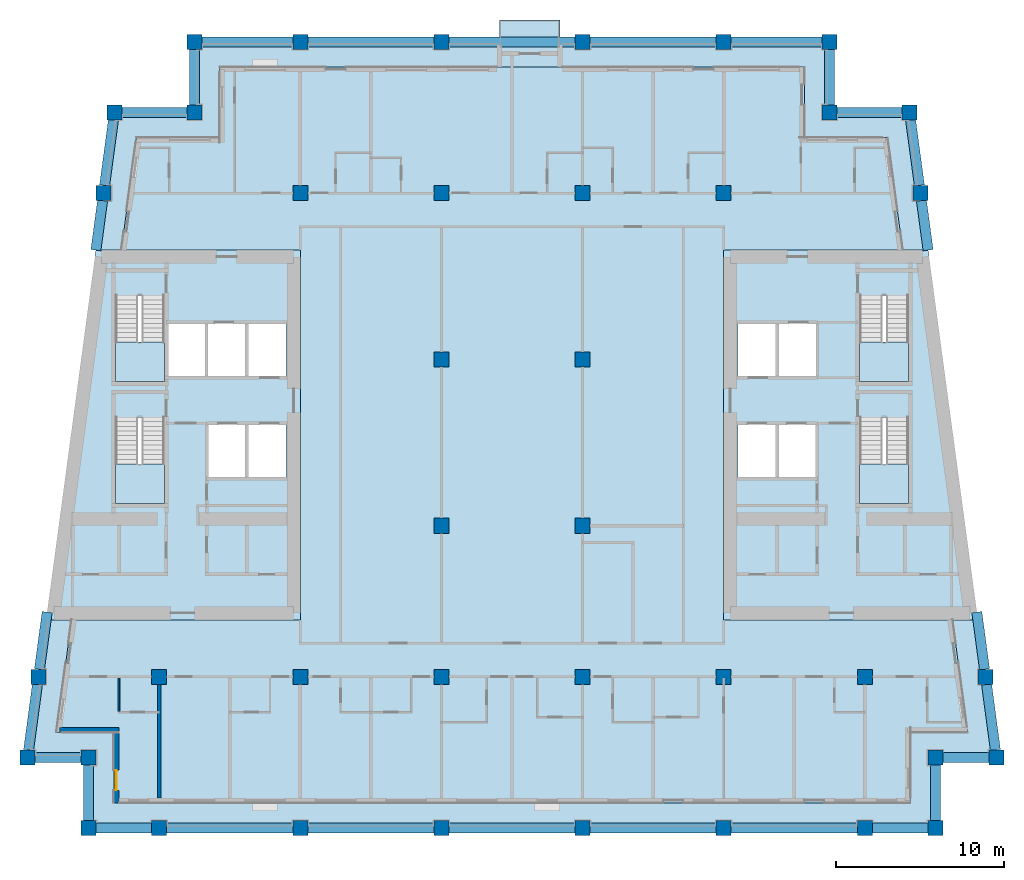
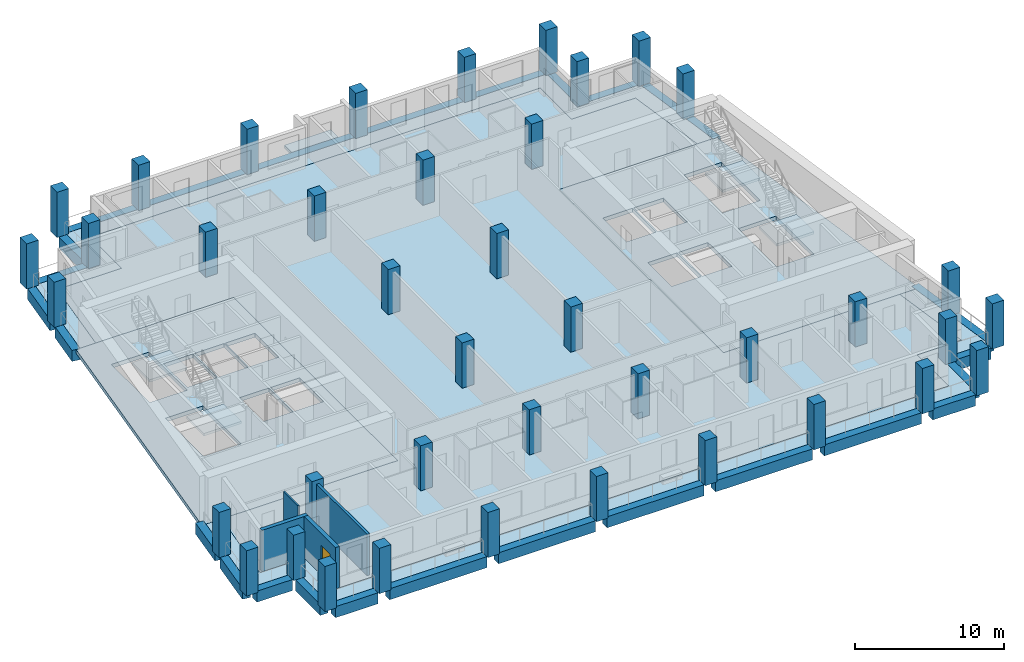
# One storey, part 1 of 13: 40 columns, 28 beams, 10 slabs, 4 walls, 1 door, 1 opening, 4 elements without a shape of their own.
"""IFC4 building model written with IfcOpenShell, lengths in metres."""

from ifc_helpers import new_model, si_unit, direction, frame, frame_2d, origin, origin_2d, place, context, subcontext, project, spatial, polyline, rectangle, outline, extrude, material, layer, layer_set, material_profile, profile_set, type_object, element, fill, aggregate, save


model = new_model("IFC4")

# Units and contexts
model_context = context("Model", 3, precision=1e-05, world=origin(), true_north=direction((0.0, 1.0)))
body_context = subcontext(model_context, "Body", "Model", "MODEL_VIEW")
ifc_project = project(units=[si_unit("LENGTHUNIT", "METRE"), si_unit("AREAUNIT", "SQUARE_METRE"), si_unit("VOLUMEUNIT", "CUBIC_METRE"), si_unit("PLANEANGLEUNIT", "RADIAN"), si_unit("MASSUNIT", "GRAM", prefix="KILO")], contexts=[model_context])

# Site, building, storey
site_placement = place(None, origin())
site = spatial("IfcSite", under=ifc_project, at=site_placement, CompositionType="ELEMENT")
building_placement = place(site_placement, origin())
building = spatial("IfcBuilding", under=site, at=building_placement, Name="Candeia Pilgrim Tower and Theatre", CompositionType="ELEMENT")
storey_placement = place(building_placement, frame((0.0, 0.0, 205.89990234375)))
storey = spatial("IfcBuildingStorey", under=building, at=storey_placement, Name="L49", CompositionType="ELEMENT", Elevation=205.89990234375)

# Columns
ifc_material_1 = material(Name="Concrete C50/60", Category="concrete")
ifc_material_profile_1 = material_profile(ifc_material_1, rectangle(XDim=0.89990234375, YDim=0.89990234375, at=origin_2d()))
ifc_profile_set_1 = profile_set([ifc_material_profile_1], Name="Concrete C50/60")
column_type = type_object("IfcColumnType", Name="RC 900x900 C50/60", PredefinedType="COLUMN", material=ifc_profile_set_1)
for number, where, z_axis, x_axis, name in (
    (1, (92.39990234375, 98.0, 0.0), (0.0, 0.0, 1.0), (1.0, 0.0, 0.0), "Column A1"),
    (2, (100.800048828125, 98.0, 0.0), (0.0, 0.0, 1.0), (1.0, 0.0, 0.0), "Column A2"),
    (3, (109.199951171875, 98.0, 0.0), (0.0, 0.0, 1.0), (1.0, 0.0, 0.0), "Column A3"),
    (4, (117.60009765625, 98.0, 0.0), (0.0, 0.0, 1.0), (1.0, 0.0, 0.0), "Column A4"),
    (5, (126.0, 98.0, 0.0), (0.0, 0.0, 1.0), (1.0, 0.0, 0.0), "Column A5"),
    (6, (134.39990234375, 98.0, 0.0), (0.0, 0.0, 1.0), (1.0, 0.0, 0.0), "Column A6"),
    (7, (88.199951171875, 98.0, 0.0), (0.0, 0.0, 1.0), (1.0, 0.0, 0.0), "Column AW"),
    (8, (138.60009765625, 98.0, 0.0), (0.0, 0.0, 1.0), (1.0, 0.0, 0.0), "Column AE"),
    (9, (88.199951171875, 102.199951171875, 0.0), (0.0, 0.0, 1.0), (1.0, 0.0, 0.0), "Column NSW"),
    (10, (138.60009765625, 102.199951171875, 0.0), (0.0, 0.0, 1.0), (1.0, 0.0, 0.0), "Column NSE"),
    (11, (94.5, 140.60009765625, 0.0), (0.0, 0.0, 1.0), (1.0, 0.0, 0.0), "Column NNW"),
    (12, (132.300048828125, 140.60009765625, 0.0), (0.0, 0.0, 1.0), (1.0, 0.0, 0.0), "Column NNE"),
    (13, (84.5654296875, 102.199951171875, 0.0), (0.0, 0.0, 1.0), (1.0, 0.0, 0.0), "Column LSW"),
    (14, (142.234619140625, 102.199951171875, 0.0), (0.0, 0.0, 1.0), (1.0, 0.0, 0.0), "Column LSE"),
    (15, (89.734619140625, 140.60009765625, 0.0), (0.0, 0.0, 1.0), (1.0, 0.0, 0.0), "Column LNW"),
    (16, (137.0654296875, 140.60009765625, 0.0), (0.0, 0.0, 1.0), (1.0, 0.0, 0.0), "Column LNE"),
    (17, (92.39990234375, 107.0, 0.0), (0.0, 0.0, 1.0), (1.0, 0.0, 0.0), "Column B1"),
    (18, (100.800048828125, 107.0, 0.0), (0.0, 0.0, 1.0), (1.0, 0.0, 0.0), "Column B2"),
    (19, (109.199951171875, 107.0, 0.0), (0.0, 0.0, 1.0), (1.0, 0.0, 0.0), "Column B3"),
    (20, (117.60009765625, 107.0, 0.0), (0.0, 0.0, 1.0), (1.0, 0.0, 0.0), "Column B4"),
    (21, (126.0, 107.0, 0.0), (0.0, 0.0, 1.0), (1.0, 0.0, 0.0), "Column B5"),
    (22, (134.39990234375, 107.0, 0.0), (0.0, 0.0, 1.0), (1.0, 0.0, 0.0), "Column B6"),
    (23, (85.21142578125, 107.0, 0.0), (0.0, 0.0, 1.0), (1.0, 0.0, 0.0), "Column BW"),
    (24, (141.58837890625, 107.0, 0.0), (0.0, 0.0, 1.0), (1.0, 0.0, 0.0), "Column BE"),
    (25, (109.199951171875, 116.0, 0.0), (0.0, 0.0, 1.0), (1.0, 0.0, 0.0), "Column C3"),
    (26, (117.60009765625, 116.0, 0.0), (0.0, 0.0, 1.0), (1.0, 0.0, 0.0), "Column C4"),
    (27, (109.199951171875, 125.89990234375, 0.0), (0.0, 0.0, 1.0), (1.0, 0.0, 0.0), "Column D3"),
    (28, (117.60009765625, 125.89990234375, 0.0), (0.0, 0.0, 1.0), (1.0, 0.0, 0.0), "Column D4"),
    (29, (100.800048828125, 135.800048828125, 0.0), (0.0, 0.0, 1.0), (1.0, 0.0, 0.0), "Column E2"),
    (30, (109.199951171875, 135.800048828125, 0.0), (0.0, 0.0, 1.0), (1.0, 0.0, 0.0), "Column E3"),
    (31, (117.60009765625, 135.800048828125, 0.0), (0.0, 0.0, 1.0), (1.0, 0.0, 0.0), "Column E4"),
    (32, (126.0, 135.800048828125, 0.0), (0.0, 0.0, 1.0), (1.0, 0.0, 0.0), "Column E5"),
    (33, (89.08837890625, 135.800048828125, 0.0), (0.0, 0.0, 1.0), (1.0, 0.0, 0.0), "Column EW"),
    (34, (137.71142578125, 135.800048828125, 0.0), (0.0, 0.0, 1.0), (1.0, 0.0, 0.0), "Column EE"),
    (35, (100.800048828125, 144.800048828125, 0.0), (0.0, 0.0, 1.0), (1.0, 0.0, 0.0), "Column F2"),
    (36, (109.199951171875, 144.800048828125, 0.0), (0.0, 0.0, 1.0), (1.0, 0.0, 0.0), "Column F3"),
    (37, (117.60009765625, 144.800048828125, 0.0), (0.0, 0.0, 1.0), (1.0, 0.0, 0.0), "Column F4"),
    (38, (126.0, 144.800048828125, 0.0), (0.0, 0.0, 1.0), (1.0, 0.0, 0.0), "Column F5"),
    (39, (94.5, 144.800048828125, 0.0), (0.0, 0.0, 1.0), (1.0, 0.0, 0.0), "Column FW"),
    (40, (132.300048828125, 144.800048828125, 0.0), (0.0, 0.0, 1.0), (1.0, 0.0, 0.0), "Column FE"),
):
    element("IfcColumn", number, at=place(storey_placement, frame(where, z_axis=z_axis, x_axis=x_axis)), inside=storey, type_object=column_type, Name=name, PredefinedType="COLUMN", context=body_context, shape_type="SweptSolid", body=[
        extrude(rectangle(XDim=0.89990234375, YDim=0.89990234375, at=origin_2d()), origin(), (0.0, 0.0, 1.0), 3.7001953125),
    ])

# Beams
ifc_material_profile_2 = material_profile(ifc_material_1, rectangle(XDim=0.60009765625, YDim=0.89990234375, at=origin_2d()))
ifc_profile_set_2 = profile_set([ifc_material_profile_2], Name="Concrete C50/60")
beam_type = type_object("IfcBeamType", Name="RC 600x900 C50/60", PredefinedType="BEAM", material=ifc_profile_set_2)
beam_1_placement = place(storey_placement, frame((88.64990234375, 98.0, -0.449951171875), z_axis=(1.0, 0.0, 0.0), x_axis=(0.0, 1.0, 0.0)))
element("IfcBeam", 41, at=beam_1_placement, inside=storey, type_object=beam_type, Name="Spandrel beam L49-01", PredefinedType="BEAM", context=body_context, shape_type="SweptSolid", body=[
    extrude(rectangle(XDim=0.60009765625, YDim=0.89990234375, at=origin_2d()), origin(), (0.0, 0.0, 1.0), 3.300048828125),
])
for number, where, z_axis, x_axis, name in (
    (42, (92.85009765625, 98.0, -0.449951171875), (1.0, 0.0, 0.0), (0.0, 1.0, 0.0), "Spandrel beam L49-02"),
    (43, (101.25, 98.0, -0.449951171875), (1.0, 0.0, 0.0), (0.0, 1.0, 0.0), "Spandrel beam L49-03"),
    (44, (109.64990234375, 98.0, -0.449951171875), (1.0, 0.0, 0.0), (0.0, 1.0, 0.0), "Spandrel beam L49-04"),
    (45, (118.050048828125, 98.0, -0.449951171875), (1.0, 0.0, 0.0), (0.0, 1.0, 0.0), "Spandrel beam L49-05"),
    (46, (126.449951171875, 98.0, -0.449951171875), (1.0, 0.0, 0.0), (0.0, 1.0, 0.0), "Spandrel beam L49-06"),
):
    element("IfcBeam", number, at=place(storey_placement, frame(where, z_axis=z_axis, x_axis=x_axis)), inside=storey, type_object=beam_type, Name=name, PredefinedType="BEAM", context=body_context, shape_type="SweptSolid", body=[
        extrude(rectangle(XDim=0.60009765625, YDim=0.89990234375, at=origin_2d()), origin(), (0.0, 0.0, 1.0), 7.5),
    ])
beam_2_placement = place(storey_placement, frame((134.85009765625, 98.0, -0.449951171875), z_axis=(1.0, 0.0, 0.0), x_axis=(0.0, 1.0, 0.0)))
element("IfcBeam", 47, at=beam_2_placement, inside=storey, type_object=beam_type, Name="Spandrel beam L49-07", PredefinedType="BEAM", context=body_context, shape_type="SweptSolid", body=[
    extrude(rectangle(XDim=0.60009765625, YDim=0.89990234375, at=origin_2d()), origin(), (0.0, 0.0, 1.0), 3.2998046875),
])
beam_3_placement = place(storey_placement, frame((138.60009765625, 98.449951171875, -0.449951171875), z_axis=(0.0, 1.0, 0.0), x_axis=(-1.0, 0.0, 0.0)))
element("IfcBeam", 48, at=beam_3_placement, inside=storey, type_object=beam_type, Name="Spandrel beam L49-08", PredefinedType="BEAM", context=body_context, shape_type="SweptSolid", body=[
    extrude(rectangle(XDim=0.60009765625, YDim=0.89990234375, at=origin_2d()), origin(), (0.0, 0.0, 1.0), 3.300048828125),
])
beam_4_placement = place(storey_placement, frame((139.050048828125, 102.199951171875, -0.449951171875), z_axis=(1.0, 0.0, 0.0), x_axis=(0.0, 1.0, 0.0)))
element("IfcBeam", 49, at=beam_4_placement, inside=storey, type_object=beam_type, Name="Spandrel beam L49-09", PredefinedType="BEAM", context=body_context, shape_type="SweptSolid", body=[
    extrude(rectangle(XDim=0.60009765625, YDim=0.89990234375, at=origin_2d()), origin(), (0.0, 0.0, 1.0), 2.734619140625),
])
beam_5_placement = place(storey_placement, frame((142.174072265625, 102.64990234375, -0.449951171875), z_axis=(-0.133443650757, 0.991056402064, 0.0), x_axis=(-0.991056402064, -0.133443650757, 0.0)))
element("IfcBeam", 50, at=beam_5_placement, inside=storey, type_object=beam_type, Name="Spandrel beam L49-10", PredefinedType="BEAM", context=body_context, shape_type="SweptSolid", body=[
    extrude(rectangle(XDim=0.60009765625, YDim=0.89990234375, at=origin_2d()), origin(), (0.0, 0.0, 1.0), 3.935302734375),
])
beam_6_placement = place(storey_placement, frame((141.52783203125, 107.449951171875, -0.449951171875), z_axis=(-0.133374411439, 0.99106572253, 0.0), x_axis=(-0.99106572253, -0.133374411439, 0.0)))
element("IfcBeam", 51, at=beam_6_placement, inside=storey, type_object=beam_type, Name="Spandrel beam L49-11", PredefinedType="BEAM", context=body_context, shape_type="SweptSolid", body=[
    extrude(rectangle(XDim=0.60009765625, YDim=0.89990234375, at=origin_2d()), origin(), (0.0, 0.0, 1.0), 3.43408203125),
])
beam_7_placement = place(storey_placement, frame((138.169189453125, 132.39990234375, -0.449951171875), z_axis=(-0.133356242983, 0.991068167412, 0.0), x_axis=(-0.991068167412, -0.133356242983, 0.0)))
element("IfcBeam", 52, at=beam_7_placement, inside=storey, type_object=beam_type, Name="Spandrel beam L49-12", PredefinedType="BEAM", context=body_context, shape_type="SweptSolid", body=[
    extrude(rectangle(XDim=0.60009765625, YDim=0.89990234375, at=origin_2d()), origin(), (0.0, 0.0, 1.0), 2.976806640625),
])
beam_8_placement = place(storey_placement, frame((137.65087890625, 136.25, -0.449951171875), z_axis=(-0.133390918184, 0.991063500965, 0.0), x_axis=(-0.991063500965, -0.133390918184, 0.0)))
element("IfcBeam", 53, at=beam_8_placement, inside=storey, type_object=beam_type, Name="Spandrel beam L49-13", PredefinedType="BEAM", context=body_context, shape_type="SweptSolid", body=[
    extrude(rectangle(XDim=0.60009765625, YDim=0.89990234375, at=origin_2d()), origin(), (0.0, 0.0, 1.0), 3.93505859375),
])
beam_9_placement = place(storey_placement, frame((136.615478515625, 140.60009765625, -0.449951171875), z_axis=(-1.0, 0.0, 0.0), x_axis=(0.0, -1.0, 0.0)))
element("IfcBeam", 54, at=beam_9_placement, inside=storey, type_object=beam_type, Name="Spandrel beam L49-14", PredefinedType="BEAM", context=body_context, shape_type="SweptSolid", body=[
    extrude(rectangle(XDim=0.60009765625, YDim=0.89990234375, at=origin_2d()), origin(), (0.0, 0.0, 1.0), 3.865478515625),
])
beam_10_placement = place(storey_placement, frame((132.300048828125, 141.050048828125, -0.449951171875), z_axis=(0.0, 1.0, 0.0), x_axis=(-1.0, 0.0, 0.0)))
element("IfcBeam", 55, at=beam_10_placement, inside=storey, type_object=beam_type, Name="Spandrel beam L49-15", PredefinedType="BEAM", context=body_context, shape_type="SweptSolid", body=[
    extrude(rectangle(XDim=0.60009765625, YDim=0.89990234375, at=origin_2d()), origin(), (0.0, 0.0, 1.0), 3.300048828125),
])
beam_11_placement = place(storey_placement, frame((131.85009765625, 144.800048828125, -0.449951171875), z_axis=(-1.0, 0.0, 0.0), x_axis=(0.0, -1.0, 0.0)))
element("IfcBeam", 56, at=beam_11_placement, inside=storey, type_object=beam_type, Name="Spandrel beam L49-16", PredefinedType="BEAM", context=body_context, shape_type="SweptSolid", body=[
    extrude(rectangle(XDim=0.60009765625, YDim=0.89990234375, at=origin_2d()), origin(), (0.0, 0.0, 1.0), 5.400146484375),
])
for number, where, z_axis, x_axis, name in (
    (57, (125.550048828125, 144.800048828125, -0.449951171875), (-1.0, 0.0, 0.0), (0.0, -1.0, 0.0), "Spandrel beam L49-17"),
    (58, (117.14990234375, 144.800048828125, -0.449951171875), (-1.0, 0.0, 0.0), (0.0, -1.0, 0.0), "Spandrel beam L49-18"),
    (59, (108.75, 144.800048828125, -0.449951171875), (-1.0, 0.0, 0.0), (0.0, -1.0, 0.0), "Spandrel beam L49-19"),
):
    element("IfcBeam", number, at=place(storey_placement, frame(where, z_axis=z_axis, x_axis=x_axis)), inside=storey, type_object=beam_type, Name=name, PredefinedType="BEAM", context=body_context, shape_type="SweptSolid", body=[
        extrude(rectangle(XDim=0.60009765625, YDim=0.89990234375, at=origin_2d()), origin(), (0.0, 0.0, 1.0), 7.5),
    ])
beam_12_placement = place(storey_placement, frame((100.35009765625, 144.800048828125, -0.449951171875), z_axis=(-1.0, 0.0, 0.0), x_axis=(0.0, -1.0, 0.0)))
element("IfcBeam", 60, at=beam_12_placement, inside=storey, type_object=beam_type, Name="Spandrel beam L49-20", PredefinedType="BEAM", context=body_context, shape_type="SweptSolid", body=[
    extrude(rectangle(XDim=0.60009765625, YDim=0.89990234375, at=origin_2d()), origin(), (0.0, 0.0, 1.0), 5.400146484375),
])
beam_13_placement = place(storey_placement, frame((94.5, 144.35009765625, -0.449951171875), z_axis=(0.0, -1.0, 0.0), x_axis=(1.0, 0.0, 0.0)))
element("IfcBeam", 61, at=beam_13_placement, inside=storey, type_object=beam_type, Name="Spandrel beam L49-21", PredefinedType="BEAM", context=body_context, shape_type="SweptSolid", body=[
    extrude(rectangle(XDim=0.60009765625, YDim=0.89990234375, at=origin_2d()), origin(), (0.0, 0.0, 1.0), 3.300048828125),
])
beam_14_placement = place(storey_placement, frame((94.050048828125, 140.60009765625, -0.449951171875), z_axis=(-1.0, 0.0, 0.0), x_axis=(0.0, -1.0, 0.0)))
element("IfcBeam", 62, at=beam_14_placement, inside=storey, type_object=beam_type, Name="Spandrel beam L49-22", PredefinedType="BEAM", context=body_context, shape_type="SweptSolid", body=[
    extrude(rectangle(XDim=0.60009765625, YDim=0.89990234375, at=origin_2d()), origin(), (0.0, 0.0, 1.0), 3.865478515625),
])
beam_15_placement = place(storey_placement, frame((89.674072265625, 140.14990234375, -0.449951171875), z_axis=(-0.133451855788, -0.99105529724, 0.0), x_axis=(0.99105529724, -0.133451855788, 0.0)))
element("IfcBeam", 63, at=beam_15_placement, inside=storey, type_object=beam_type, Name="Spandrel beam L49-23", PredefinedType="BEAM", context=body_context, shape_type="SweptSolid", body=[
    extrude(rectangle(XDim=0.60009765625, YDim=0.89990234375, at=origin_2d()), origin(), (0.0, 0.0, 1.0), 3.93505859375),
])
beam_16_placement = place(storey_placement, frame((89.02783203125, 135.35009765625, -0.449951171875), z_axis=(-0.133356242983, -0.991068167412, 0.0), x_axis=(0.991068167412, -0.133356242983, 0.0)))
element("IfcBeam", 64, at=beam_16_placement, inside=storey, type_object=beam_type, Name="Spandrel beam L49-24", PredefinedType="BEAM", context=body_context, shape_type="SweptSolid", body=[
    extrude(rectangle(XDim=0.60009765625, YDim=0.89990234375, at=origin_2d()), origin(), (0.0, 0.0, 1.0), 2.976806640625),
])
beam_17_placement = place(storey_placement, frame((85.730224609375, 110.853271484375, -0.449951171875), z_axis=(-0.133374411439, -0.99106572253, 0.0), x_axis=(0.99106572253, -0.133374411439, 0.0)))
element("IfcBeam", 65, at=beam_17_placement, inside=storey, type_object=beam_type, Name="Spandrel beam L49-25", PredefinedType="BEAM", context=body_context, shape_type="SweptSolid", body=[
    extrude(rectangle(XDim=0.60009765625, YDim=0.89990234375, at=origin_2d()), origin(), (0.0, 0.0, 1.0), 3.43408203125),
])
beam_18_placement = place(storey_placement, frame((85.15087890625, 106.550048828125, -0.449951171875), z_axis=(-0.133382716764, -0.991064604791, 0.0), x_axis=(0.991064604791, -0.133382716764, 0.0)))
element("IfcBeam", 66, at=beam_18_placement, inside=storey, type_object=beam_type, Name="Spandrel beam L49-26", PredefinedType="BEAM", context=body_context, shape_type="SweptSolid", body=[
    extrude(rectangle(XDim=0.60009765625, YDim=0.89990234375, at=origin_2d()), origin(), (0.0, 0.0, 1.0), 3.935302734375),
])
beam_19_placement = place(storey_placement, frame((85.015380859375, 102.199951171875, -0.449951171875), z_axis=(1.0, 0.0, 0.0), x_axis=(0.0, 1.0, 0.0)))
element("IfcBeam", 67, at=beam_19_placement, inside=storey, type_object=beam_type, Name="Spandrel beam L49-27", PredefinedType="BEAM", context=body_context, shape_type="SweptSolid", body=[
    extrude(rectangle(XDim=0.60009765625, YDim=0.89990234375, at=origin_2d()), origin(), (0.0, 0.0, 1.0), 2.734619140625),
])
beam_20_placement = place(storey_placement, frame((88.199951171875, 101.75, -0.449951171875), z_axis=(0.0, -1.0, 0.0), x_axis=(1.0, 0.0, 0.0)))
element("IfcBeam", 68, at=beam_20_placement, inside=storey, type_object=beam_type, Name="Spandrel beam L49-28", PredefinedType="BEAM", context=body_context, shape_type="SweptSolid", body=[
    extrude(rectangle(XDim=0.60009765625, YDim=0.89990234375, at=origin_2d()), origin(), (0.0, 0.0, 1.0), 3.300048828125),
])

# Slabs
ifc_material_2 = material(Name="Concrete C40/50", Category="concrete")
ifc_layer_1 = layer(ifc_material_2, 0.25)
ifc_layer_set_1 = layer_set([ifc_layer_1], Name="BK1 balcony slab 250")
slab_type_1 = type_object("IfcSlabType", Name="BK1 balcony slab 250", PredefinedType="USERDEFINED", material=ifc_layer_set_1)
slab_1_placement = place(storey_placement, frame((0.0, 0.0, -0.25)))
element("IfcSlab", 69, at=slab_1_placement, inside=storey, type_object=slab_type_1, Name="Balcony L49", ObjectType="BALCONY", PredefinedType="USERDEFINED", context=body_context, shape_type="SweptSolid", body=[
    extrude(outline(polyline([(112.64990234375, 144.5), (116.25, 144.5), (116.25, 146.10009765625), (112.64990234375, 146.10009765625), (112.64990234375, 144.5)])), origin(), (0.0, 0.0, 1.0), 0.25),
])
ifc_material_3 = material(Name="Concrete C60/75", Category="concrete")
ifc_layer_2 = layer(ifc_material_3, 0.320068359375)
ifc_layer_set_2 = layer_set([ifc_layer_2], Name="FS-CORE 320 core floor")
slab_type_2 = type_object("IfcSlabType", Name="FS-CORE 320 core floor", PredefinedType="FLOOR", material=ifc_layer_set_2)
slab_2_placement = place(storey_placement, frame((0.0, 0.0, -0.31982421875)))
element("IfcSlab", 70, at=slab_2_placement, inside=storey, type_object=slab_type_2, Name="Core floor W L49", PredefinedType="FLOOR", context=body_context, shape_type="SweptSolid", body=[
    extrude(outline(polyline([(100.800048828125, 132.39990234375), (100.800048828125, 110.39990234375), (85.669189453125, 110.39990234375), (88.630859375, 132.39990234375), (100.800048828125, 132.39990234375)]), holes=[polyline([(97.658935546875, 128.050048828125), (97.658935546875, 124.85009765625), (99.949951171875, 124.85009765625), (99.949951171875, 128.050048828125), (97.658935546875, 128.050048828125)]), polyline([(97.66357421875, 122.050048828125), (97.66357421875, 118.85009765625), (99.949951171875, 118.85009765625), (99.949951171875, 122.050048828125), (97.66357421875, 122.050048828125)]), polyline([(95.277099609375, 122.050048828125), (95.277099609375, 118.85009765625), (97.5634765625, 118.85009765625), (97.5634765625, 122.050048828125), (95.277099609375, 122.050048828125)]), polyline([(95.26806640625, 128.050048828125), (95.26806640625, 124.85009765625), (97.55908203125, 124.85009765625), (97.55908203125, 128.050048828125), (95.26806640625, 128.050048828125)]), polyline([(92.876953125, 128.050048828125), (92.876953125, 124.85009765625), (95.16796875, 124.85009765625), (95.16796875, 128.050048828125), (92.876953125, 128.050048828125)]), polyline([(89.802001953125, 117.324951171875), (92.701904296875, 117.324951171875), (92.701904296875, 122.455078125), (89.802001953125, 122.455078125), (89.802001953125, 117.324951171875)]), polyline([(89.802001953125, 129.705078125), (89.802001953125, 124.574951171875), (92.701904296875, 124.574951171875), (92.701904296875, 129.705078125), (89.802001953125, 129.705078125)])]), origin(), (0.0, 0.0, 1.0), 0.31982421875),
])
slab_3_placement = place(storey_placement, frame((0.0, 0.0, -0.31982421875)))
element("IfcSlab", 71, at=slab_3_placement, inside=storey, type_object=slab_type_2, Name="Core floor E L49", PredefinedType="FLOOR", context=body_context, shape_type="SweptSolid", body=[
    extrude(outline(polyline([(138.169189453125, 132.39990234375), (141.130859375, 110.39990234375), (126.0, 110.39990234375), (126.0, 132.39990234375), (138.169189453125, 132.39990234375)]), holes=[polyline([(134.097900390625, 117.324951171875), (136.998046875, 117.324951171875), (136.998046875, 122.455078125), (134.097900390625, 122.455078125), (134.097900390625, 117.324951171875)]), polyline([(134.097900390625, 129.705078125), (134.097900390625, 124.574951171875), (136.998046875, 124.574951171875), (136.998046875, 129.705078125), (134.097900390625, 129.705078125)]), polyline([(131.531982421875, 128.050048828125), (129.240966796875, 128.050048828125), (129.240966796875, 124.85009765625), (131.531982421875, 124.85009765625), (131.531982421875, 128.050048828125)]), polyline([(131.52294921875, 122.050048828125), (129.236572265625, 122.050048828125), (129.236572265625, 118.85009765625), (131.52294921875, 118.85009765625), (131.52294921875, 122.050048828125)]), polyline([(126.85009765625, 128.050048828125), (126.85009765625, 124.85009765625), (129.14111328125, 124.85009765625), (129.14111328125, 128.050048828125), (126.85009765625, 128.050048828125)]), polyline([(129.136474609375, 122.050048828125), (126.85009765625, 122.050048828125), (126.85009765625, 118.85009765625), (129.136474609375, 118.85009765625), (129.136474609375, 122.050048828125)])]), origin(), (0.0, 0.0, 1.0), 0.31982421875),
])
ifc_layer_3 = layer(ifc_material_1, 0.320068359375)
ifc_layer_set_3 = layer_set([ifc_layer_3], Name="Floor slab 320 C50/60")
slab_type_3 = type_object("IfcSlabType", Name="Floor slab 320 C50/60", PredefinedType="FLOOR", material=ifc_layer_set_3)
slab_4_placement = place(storey_placement, frame((0.0, 0.0, -0.31982421875)))
element("IfcSlab", 72, at=slab_4_placement, inside=storey, type_object=slab_type_3, Name="Floor slab L49", PredefinedType="FLOOR", context=body_context, shape_type="SweptSolid", body=[
    extrude(outline(polyline([(96.0, 139.10009765625), (96.0, 143.300048828125), (130.800048828125, 143.300048828125), (130.800048828125, 139.10009765625), (135.753662109375, 139.10009765625), (136.65576171875, 132.39990234375), (126.0, 132.39990234375), (126.0, 110.39990234375), (139.6171875, 110.39990234375), (140.51904296875, 103.699951171875), (137.10009765625, 103.699951171875), (137.10009765625, 99.5), (89.699951171875, 99.5), (89.699951171875, 103.699951171875), (86.28076171875, 103.699951171875), (87.182861328125, 110.39990234375), (100.800048828125, 110.39990234375), (100.800048828125, 132.39990234375), (90.144287109375, 132.39990234375), (91.046142578125, 139.10009765625), (96.0, 139.10009765625)])), origin(), (0.0, 0.0, 1.0), 0.31982421875),
])
ifc_layer_4 = layer(ifc_material_2, 0.25)
ifc_layer_set_4 = layer_set([ifc_layer_4], Name="Loggia slab 250 C40/50")
slab_type_4 = type_object("IfcSlabType", Name="Loggia slab 250 C40/50", PredefinedType="FLOOR", material=ifc_layer_set_4)
slab_5_placement = place(storey_placement, frame((0.0, 0.0, -0.25)))
element("IfcSlab", 73, at=slab_5_placement, inside=storey, type_object=slab_type_4, Name="Loggia slab L49 1", PredefinedType="FLOOR", context=body_context, shape_type="SweptSolid", body=[
    extrude(outline(polyline([(87.182861328125, 110.39990234375), (86.28076171875, 103.699951171875), (89.699951171875, 103.699951171875), (89.699951171875, 99.5), (137.10009765625, 99.5), (137.10009765625, 103.699951171875), (140.51904296875, 103.699951171875), (139.6171875, 110.39990234375), (140.828125, 110.39990234375), (141.8916015625, 102.5), (138.300048828125, 102.5), (138.300048828125, 98.300048828125), (88.5, 98.300048828125), (88.5, 102.5), (84.908447265625, 102.5), (85.971923828125, 110.39990234375), (87.182861328125, 110.39990234375)])), origin(), (0.0, 0.0, 1.0), 0.25),
])
slab_6_placement = place(storey_placement, frame((0.0, 0.0, -0.25)))
element("IfcSlab", 74, at=slab_6_placement, inside=storey, type_object=slab_type_4, Name="Loggia slab L49 2", PredefinedType="FLOOR", context=body_context, shape_type="SweptSolid", body=[
    extrude(outline(polyline([(136.65576171875, 132.39990234375), (135.753662109375, 139.10009765625), (130.800048828125, 139.10009765625), (130.800048828125, 143.300048828125), (96.0, 143.300048828125), (96.0, 139.10009765625), (91.046142578125, 139.10009765625), (90.144287109375, 132.39990234375), (88.93359375, 132.39990234375), (89.996826171875, 140.300048828125), (94.800048828125, 140.300048828125), (94.800048828125, 144.5), (132.0, 144.5), (132.0, 140.300048828125), (136.802978515625, 140.300048828125), (137.866455078125, 132.39990234375), (136.65576171875, 132.39990234375)])), origin(), (0.0, 0.0, 1.0), 0.25),
])

# Stair, slab
stair_type = type_object("IfcStairType", Name="ST-TWR dog-leg escape stair", PredefinedType="HALF_TURN_STAIR", material=ifc_material_2)
stair_1_placement = place(storey_placement, origin())
stair_1 = element("IfcStair", 75, at=stair_1_placement, inside=storey, type_object=stair_type, Name="L49 Escape stair ST1", PredefinedType="HALF_TURN_STAIR")
ifc_layer_5 = layer(ifc_material_2, 0.199951171875)
ifc_layer_set_5 = layer_set([ifc_layer_5], Name="SL-LANDING stair landing")
slab_type_5 = type_object("IfcSlabType", Name="SL-LANDING stair landing", PredefinedType="LANDING", material=ifc_layer_set_5)
slab_7_placement = place(storey_placement, frame((0.0, 0.0, 1.650146484375)))
slab_7 = element("IfcSlab", 76, at=slab_7_placement, type_object=slab_type_5, Name="ST1 landing 1", PredefinedType="LANDING", context=body_context, shape_type="SweptSolid", body=[
    extrude(outline(polyline([(89.802001953125, 119.675048828125), (89.802001953125, 117.324951171875), (92.701904296875, 117.324951171875), (92.701904296875, 119.675048828125), (89.802001953125, 119.675048828125)])), origin(), (0.0, 0.0, 1.0), 0.199951171875),
])
aggregate(stair_1, [slab_7])

stair_2_placement = place(storey_placement, origin())
stair_2 = element("IfcStair", 77, at=stair_2_placement, inside=storey, type_object=stair_type, Name="L49 Escape stair ST2", PredefinedType="HALF_TURN_STAIR")
slab_8_placement = place(storey_placement, frame((0.0, 0.0, 1.650146484375)))
slab_8 = element("IfcSlab", 78, at=slab_8_placement, type_object=slab_type_5, Name="ST2 landing 1", PredefinedType="LANDING", context=body_context, shape_type="SweptSolid", body=[
    extrude(outline(polyline([(89.802001953125, 126.925048828125), (89.802001953125, 124.574951171875), (92.701904296875, 124.574951171875), (92.701904296875, 126.925048828125), (89.802001953125, 126.925048828125)])), origin(), (0.0, 0.0, 1.0), 0.199951171875),
])
aggregate(stair_2, [slab_8])

stair_3_placement = place(storey_placement, origin())
stair_3 = element("IfcStair", 79, at=stair_3_placement, inside=storey, type_object=stair_type, Name="L49 Escape stair ST3", PredefinedType="HALF_TURN_STAIR")
slab_9_placement = place(storey_placement, frame((0.0, 0.0, 1.650146484375)))
slab_9 = element("IfcSlab", 80, at=slab_9_placement, type_object=slab_type_5, Name="ST3 landing 1", PredefinedType="LANDING", context=body_context, shape_type="SweptSolid", body=[
    extrude(outline(polyline([(134.097900390625, 119.675048828125), (134.097900390625, 117.324951171875), (136.998046875, 117.324951171875), (136.998046875, 119.675048828125), (134.097900390625, 119.675048828125)])), origin(), (0.0, 0.0, 1.0), 0.199951171875),
])
aggregate(stair_3, [slab_9])

stair_4_placement = place(storey_placement, origin())
stair_4 = element("IfcStair", 81, at=stair_4_placement, inside=storey, type_object=stair_type, Name="L49 Escape stair ST4", PredefinedType="HALF_TURN_STAIR")
slab_10_placement = place(storey_placement, frame((0.0, 0.0, 1.650146484375)))
slab_10 = element("IfcSlab", 82, at=slab_10_placement, type_object=slab_type_5, Name="ST4 landing 1", PredefinedType="LANDING", context=body_context, shape_type="SweptSolid", body=[
    extrude(outline(polyline([(134.097900390625, 126.925048828125), (134.097900390625, 124.574951171875), (136.998046875, 124.574951171875), (136.998046875, 126.925048828125), (134.097900390625, 126.925048828125)])), origin(), (0.0, 0.0, 1.0), 0.199951171875),
])
aggregate(stair_4, [slab_10])

# Wall
ifc_material_4 = material(Name="Ceramic block masonry", Category="masonry")
ifc_layer_6 = layer(ifc_material_4, 0.300048828125)
ifc_layer_set_6 = layer_set([ifc_layer_6], Name="EW1 glazing-line wall 300")
wall_type_1 = type_object("IfcWallType", Name="EW1 glazing-line wall 300", PredefinedType="SOLIDWALL", material=ifc_layer_set_6)
wall_1_placement = place(storey_placement, frame((86.452392578125, 103.85009765625, 0.0), z_axis=(0.0, 0.0, 1.0), x_axis=(1.0, 0.0, 0.0)))
element("IfcWall", 83, at=wall_1_placement, inside=storey, type_object=wall_type_1, Name="External wall L49-10.0", PredefinedType="SOLIDWALL", context=body_context, shape_type="SweptSolid", body=[
    extrude(rectangle(XDim=3.547607421875, YDim=0.300048828125, at=frame_2d((1.77392578125, 0.0))), origin(), (0.0, 0.0, 1.0), 3.380126953125),
])

# Wall, opening, door
wall_2_placement = place(storey_placement, frame((89.85009765625, 103.85009765625, 0.0), z_axis=(0.0, 0.0, 1.0), x_axis=(0.0, -1.0, 0.0)))
wall_2 = element("IfcWall", 84, at=wall_2_placement, inside=storey, type_object=wall_type_1, Name="External wall L49-11.0", PredefinedType="SOLIDWALL", context=body_context, shape_type="SweptSolid", body=[
    extrude(rectangle(XDim=4.35009765625, YDim=0.300048828125, at=frame_2d((2.175048828125, 0.0))), origin(), (0.0, 0.0, 1.0), 3.380126953125),
])
opening_placement = place(wall_2_placement, frame((2.39990234375, 0.0, 0.0)))
opening = element("IfcOpeningElement", 85, at=opening_placement, cuts=wall_2, Name="Opening L49-ED472", PredefinedType="OPENING", context=body_context, shape_type="SweptSolid", body=[
    extrude(rectangle(XDim=1.199951171875, YDim=2.39990234375, at=frame_2d((0.60009765625, 1.199951171875))), frame((0.0, 0.16015625, 0.0), z_axis=(0.0, -1.0, 0.0), x_axis=(1.0, 0.0, 0.0)), (0.0, 0.0, 1.0), 0.320068359375),
])
ifc_material_5 = material(Name="Aluminium framed glazed door", Category="aluminium")
door_type = type_object("IfcDoorType", Name="Loggia door 1200x2400", OperationType="DOUBLE_DOOR_SINGLE_SWING", PredefinedType="DOOR", material=ifc_material_5)
door_placement = place(opening_placement, origin())
door = element("IfcDoor", 86, at=door_placement, inside=storey, type_object=door_type, Name="Loggia door L49-ED472", OperationType="DOUBLE_DOOR_SINGLE_SWING", OverallHeight=2.39990234375, OverallWidth=1.199951171875, PredefinedType="DOOR", context=body_context, shape_type="SweptSolid", body=[
    extrude(rectangle(XDim=1.199951171875, YDim=2.39990234375, at=frame_2d((0.60009765625, 1.199951171875))), frame((0.0, 0.02490234375, 0.0), z_axis=(0.0, -1.0, 0.0), x_axis=(1.0, 0.0, 0.0)), (0.0, 0.0, 1.0), 0.050048828125),
])
fill(opening, door)

# Walls
ifc_material_6 = material(Name="Gypsum board partition on steel studs", Category="steel")
ifc_layer_7 = layer(ifc_material_6, 0.10009765625)
ifc_layer_set_7 = layer_set([ifc_layer_7], Name="PW-100 room partition")
wall_type_2 = type_object("IfcWallType", Name="PW-100 room partition", PredefinedType="PARTITIONING", material=ifc_layer_set_7)
wall_3_placement = place(storey_placement, frame((90.0, 104.949951171875, 0.0), z_axis=(0.0, 0.0, 1.0), x_axis=(0.0, 1.0, 0.0)))
element("IfcWall", 87, at=wall_3_placement, inside=storey, type_object=wall_type_2, Name="Room partition L49-055", PredefinedType="PARTITIONING", context=body_context, shape_type="SweptSolid", body=[
    extrude(rectangle(XDim=1.97509765625, YDim=0.10009765625, at=frame_2d((0.987548828125, 0.0))), origin(), (0.0, 0.0, 1.0), 3.380126953125),
])
ifc_layer_8 = layer(ifc_material_6, 0.199951171875)
ifc_layer_set_8 = layer_set([ifc_layer_8], Name="PW-200 party wall")
wall_type_3 = type_object("IfcWallType", Name="PW-200 party wall", PredefinedType="PARTITIONING", material=ifc_layer_set_8)
wall_4_placement = place(storey_placement, frame((92.39990234375, 99.7900390625, 0.0), z_axis=(0.0, 0.0, 1.0), x_axis=(0.0, 1.0, 0.0)))
element("IfcWall", 88, at=wall_4_placement, inside=storey, type_object=wall_type_3, Name="Party wall L49-057", PredefinedType="PARTITIONING", context=body_context, shape_type="SweptSolid", body=[
    extrude(rectangle(XDim=7.135009765625, YDim=0.199951171875, at=frame_2d((3.5673828125, 0.0))), origin(), (0.0, 0.0, 1.0), 3.380126953125),
])

save(model, "model.ifc")
